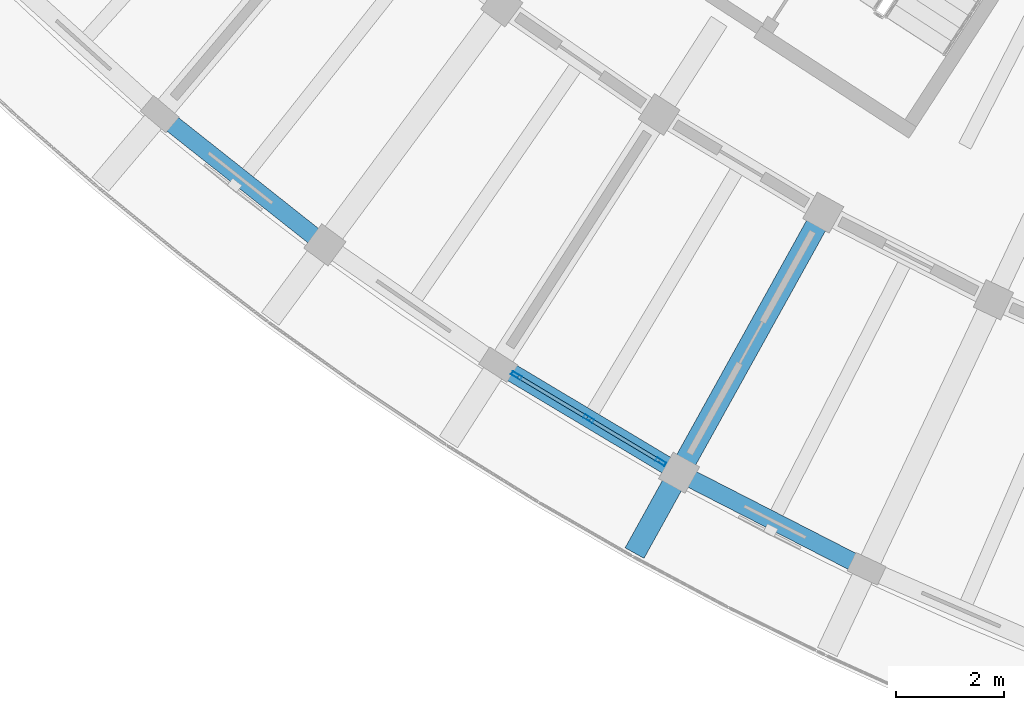
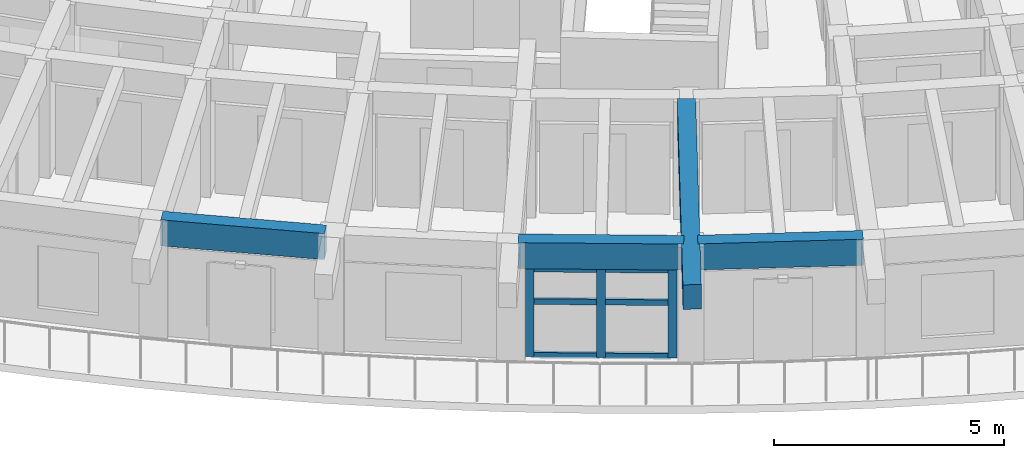
# One storey, part 3 of 78: 9 members, 4 beams, 1 element without a shape of its own.
"""IFC4 building model written with IfcOpenShell, lengths in metres."""

from ifc_helpers import new_model, si_unit, direction, frame, origin, origin_2d, place, context, subcontext, project, spatial, rectangle, hollow_rectangle, extrude, material, material_profile, profile_set, type_object, element, aggregate, save


model = new_model("IFC4")

# Units and contexts
model_context = context("Model", 3, precision=1e-05, world=origin(), true_north=direction((0.0, 1.0)))
body_context = subcontext(model_context, "Body", "Model", "MODEL_VIEW")
ifc_project = project(units=[si_unit("LENGTHUNIT", "METRE"), si_unit("AREAUNIT", "SQUARE_METRE"), si_unit("VOLUMEUNIT", "CUBIC_METRE"), si_unit("PLANEANGLEUNIT", "RADIAN"), si_unit("MASSUNIT", "GRAM", prefix="KILO")], contexts=[model_context])

# Site, building, storey
site_placement = place(None, origin())
site = spatial("IfcSite", under=ifc_project, at=site_placement, CompositionType="ELEMENT")
building_placement = place(site_placement, origin())
building = spatial("IfcBuilding", under=site, at=building_placement, Name="Tanwirah Colonnade Gardens", CompositionType="ELEMENT")
storey_placement = place(building_placement, frame((0.0, 0.0, 22.280029296875)))
storey = spatial("IfcBuildingStorey", under=building, at=storey_placement, Name="L06", CompositionType="ELEMENT", Elevation=22.280029296875)

# Beam
ifc_material_1 = material(Name="Precast concrete C45/55", Category="concrete")
ifc_material_profile_1 = material_profile(ifc_material_1, rectangle(XDim=0.39990234375, YDim=0.64990234375, at=origin_2d()), Name="PC-BM 400x650")
ifc_profile_set_1 = profile_set([ifc_material_profile_1], Name="Precast concrete C45/55")
beam_type_1 = type_object("IfcBeamType", Name="BM-PC400", PredefinedType="BEAM", material=ifc_profile_set_1)
beam_1_placement = place(storey_placement, frame((38.723388671875, 17.095703125, 2.784912109375), z_axis=(-0.484804753745, -0.874622404667, 0.0), x_axis=(0.874622404667, -0.484804753745, 0.0)))
element("IfcBeam", 1, at=beam_1_placement, inside=storey, type_object=beam_type_1, Name="Block C L06 Outer Radial Precast Girder 12", PredefinedType="BEAM", context=body_context, shape_type="SweptSolid", body=[
    extrude(rectangle(XDim=0.39990234375, YDim=0.64990234375, at=origin_2d()), origin(), (0.0, 0.0, 1.0), 7.05029296875),
])

# Curtain wall, members
ifc_material_2 = material(Name="Bronze-anodised aluminium and solar-control low-E glass", Category="aluminium")
curtain_wall_type = type_object("IfcCurtainWallType", Name="CW-LOB", PredefinedType="NOTDEFINED", material=ifc_material_2)
curtain_wall_placement = place(storey_placement, origin())
curtain_wall = element("IfcCurtainWall", 2, at=curtain_wall_placement, inside=storey, type_object=curtain_wall_type, Name="Curtain Wall CW-C-L06-OUT-11", PredefinedType="NOTDEFINED")
ifc_material_3 = material(Name="Bronze-anodised aluminium", Category="aluminium")
ifc_material_profile_2 = material_profile(ifc_material_3, hollow_rectangle(XDim=0.070068359375, YDim=0.199951171875, WallThickness=0.00390625, at=origin_2d()), Name="CW-MUL 70x200x4")
ifc_profile_set_2 = profile_set([ifc_material_profile_2], Name="Bronze-anodised aluminium")
member_type_1 = type_object("IfcMemberType", Name="CWM-70x200", PredefinedType="MULLION", material=ifc_profile_set_2)
member_1_placement = place(storey_placement, frame((33.1240234375, 14.21337890625, 0.0), z_axis=(0.0, 0.0, 1.0), x_axis=(0.513166590222, 0.858289025142, 0.0)))
member_1 = element("IfcMember", 3, at=member_1_placement, type_object=member_type_1, Name="CW-LOB mullion 1", PredefinedType="MULLION", context=body_context, shape_type="SweptSolid", body=[
    extrude(hollow_rectangle(XDim=0.070068359375, YDim=0.199951171875, WallThickness=0.00390625, at=origin_2d()), origin(), (0.0, 0.0, 1.0), 2.35498046875),
])
member_2_placement = place(storey_placement, frame((34.457275390625, 13.416259765625, 0.0), z_axis=(0.0, 0.0, 1.0), x_axis=(0.513166590222, 0.858289025142, 0.0)))
member_2 = element("IfcMember", 4, at=member_2_placement, type_object=member_type_1, Name="CW-LOB mullion 2", PredefinedType="MULLION", context=body_context, shape_type="SweptSolid", body=[
    extrude(hollow_rectangle(XDim=0.070068359375, YDim=0.199951171875, WallThickness=0.00390625, at=origin_2d()), origin(), (0.0, 0.0, 1.0), 2.35498046875),
])
member_3_placement = place(storey_placement, frame((35.79052734375, 12.619140625, 0.0), z_axis=(0.0, 0.0, 1.0), x_axis=(0.513166590222, 0.858289025142, 0.0)))
member_3 = element("IfcMember", 5, at=member_3_placement, type_object=member_type_1, Name="CW-LOB mullion 3", PredefinedType="MULLION", context=body_context, shape_type="SweptSolid", body=[
    extrude(hollow_rectangle(XDim=0.070068359375, YDim=0.199951171875, WallThickness=0.00390625, at=origin_2d()), origin(), (0.0, 0.0, 1.0), 2.35498046875),
])
ifc_material_profile_3 = material_profile(ifc_material_3, hollow_rectangle(XDim=0.070068359375, YDim=0.14990234375, WallThickness=0.00390625, at=origin_2d()), Name="CW-TRN 70x150x4")
ifc_profile_set_3 = profile_set([ifc_material_profile_3], Name="Bronze-anodised aluminium")
member_type_2 = type_object("IfcMemberType", Name="CWT-70x150", PredefinedType="USERDEFINED", material=ifc_profile_set_3)
member_4_placement = place(storey_placement, frame((33.154052734375, 14.195556640625, 0.034912109375), z_axis=(0.858290595002, -0.513163964567, 0.0), x_axis=(0.513163964567, 0.858290595002, 0.0)))
member_4 = element("IfcMember", 6, at=member_4_placement, type_object=member_type_2, Name="CW-LOB transom 1.1", ObjectType="TRANSOM", PredefinedType="USERDEFINED", context=body_context, shape_type="SweptSolid", body=[
    extrude(hollow_rectangle(XDim=0.070068359375, YDim=0.14990234375, WallThickness=0.00390625, at=origin_2d()), origin(), (0.0, 0.0, 1.0), 1.4833984375),
])
member_5_placement = place(storey_placement, frame((33.154052734375, 14.195556640625, 1.4599609375), z_axis=(0.858290595002, -0.513163964567, 0.0), x_axis=(0.513163964567, 0.858290595002, 0.0)))
member_5 = element("IfcMember", 7, at=member_5_placement, type_object=member_type_2, Name="CW-LOB transom 1.2", ObjectType="TRANSOM", PredefinedType="USERDEFINED", context=body_context, shape_type="SweptSolid", body=[
    extrude(hollow_rectangle(XDim=0.070068359375, YDim=0.14990234375, WallThickness=0.00390625, at=origin_2d()), origin(), (0.0, 0.0, 1.0), 1.4833984375),
])
member_6_placement = place(storey_placement, frame((33.154052734375, 14.195556640625, 2.320068359375), z_axis=(0.858290595002, -0.513163964567, 0.0), x_axis=(0.513163964567, 0.858290595002, 0.0)))
member_6 = element("IfcMember", 8, at=member_6_placement, type_object=member_type_2, Name="CW-LOB transom 1.3", ObjectType="TRANSOM", PredefinedType="USERDEFINED", context=body_context, shape_type="SweptSolid", body=[
    extrude(hollow_rectangle(XDim=0.070068359375, YDim=0.14990234375, WallThickness=0.00390625, at=origin_2d()), origin(), (0.0, 0.0, 1.0), 1.4833984375),
])
member_7_placement = place(storey_placement, frame((34.4873046875, 13.398193359375, 0.034912109375), z_axis=(0.858290595002, -0.513163964567, 0.0), x_axis=(0.513163964567, 0.858290595002, 0.0)))
member_7 = element("IfcMember", 9, at=member_7_placement, type_object=member_type_2, Name="CW-LOB transom 2.1", ObjectType="TRANSOM", PredefinedType="USERDEFINED", context=body_context, shape_type="SweptSolid", body=[
    extrude(hollow_rectangle(XDim=0.070068359375, YDim=0.14990234375, WallThickness=0.00390625, at=origin_2d()), origin(), (0.0, 0.0, 1.0), 1.4833984375),
])
member_8_placement = place(storey_placement, frame((34.4873046875, 13.398193359375, 1.4599609375), z_axis=(0.858290595002, -0.513163964567, 0.0), x_axis=(0.513163964567, 0.858290595002, 0.0)))
member_8 = element("IfcMember", 10, at=member_8_placement, type_object=member_type_2, Name="CW-LOB transom 2.2", ObjectType="TRANSOM", PredefinedType="USERDEFINED", context=body_context, shape_type="SweptSolid", body=[
    extrude(hollow_rectangle(XDim=0.070068359375, YDim=0.14990234375, WallThickness=0.00390625, at=origin_2d()), origin(), (0.0, 0.0, 1.0), 1.4833984375),
])
member_9_placement = place(storey_placement, frame((34.4873046875, 13.398193359375, 2.320068359375), z_axis=(0.858290595002, -0.513163964567, 0.0), x_axis=(0.513163964567, 0.858290595002, 0.0)))
member_9 = element("IfcMember", 11, at=member_9_placement, type_object=member_type_2, Name="CW-LOB transom 2.3", ObjectType="TRANSOM", PredefinedType="USERDEFINED", context=body_context, shape_type="SweptSolid", body=[
    extrude(hollow_rectangle(XDim=0.070068359375, YDim=0.14990234375, WallThickness=0.00390625, at=origin_2d()), origin(), (0.0, 0.0, 1.0), 1.4833984375),
])
aggregate(curtain_wall, [member_1, member_2, member_3, member_4, member_5, member_6, member_7, member_8, member_9])

# Beams
ifc_material_4 = material(Name="Precast concrete C40/50", Category="concrete")
ifc_material_profile_4 = material_profile(ifc_material_4, rectangle(XDim=0.330078125, YDim=0.68994140625, at=origin_2d()), Name="PC-SP 330x690")
ifc_profile_set_4 = profile_set([ifc_material_profile_4], Name="Precast concrete C40/50")
beam_type_2 = type_object("IfcBeamType", Name="SP-PC280", PredefinedType="SPANDREL", material=ifc_profile_set_4)
beam_2_placement = place(storey_placement, frame((26.640869140625, 18.956298828125, 2.764892578125), z_axis=(0.783971495357, -0.620796822211, 0.0), x_axis=(0.620796822211, 0.783971495357, 0.0)))
element("IfcBeam", 12, at=beam_2_placement, inside=storey, type_object=beam_type_2, Name="Block C L06 Circumferential Beam 9-R3", PredefinedType="SPANDREL", context=body_context, shape_type="SweptSolid", body=[
    extrude(rectangle(XDim=0.330078125, YDim=0.68994140625, at=origin_2d()), origin(), (0.0, 0.0, 1.0), 3.596923828125),
])
for number, where, z_axis, x_axis, name in (
    (13, (32.913818359375, 14.339111328125, 2.764892578125), (0.858282522832, -0.513177465407, 0.0), (0.513177465407, 0.858282522832, 0.0), "Block C L06 Circumferential Beam 11-R3"),
    (14, (36.26318359375, 12.347900390625, 2.764892578125), (0.890013134589, -0.455934885985, 0.0), (0.455934885985, 0.890013134589, 0.0), "Block C L06 Circumferential Beam 12-R3"),
):
    element("IfcBeam", number, at=place(storey_placement, frame(where, z_axis=z_axis, x_axis=x_axis)), inside=storey, type_object=beam_type_2, Name=name, PredefinedType="SPANDREL", context=body_context, shape_type="SweptSolid", body=[
        extrude(rectangle(XDim=0.330078125, YDim=0.68994140625, at=origin_2d()), origin(), (0.0, 0.0, 1.0), 3.5966796875),
    ])

save(model, "model.ifc")
